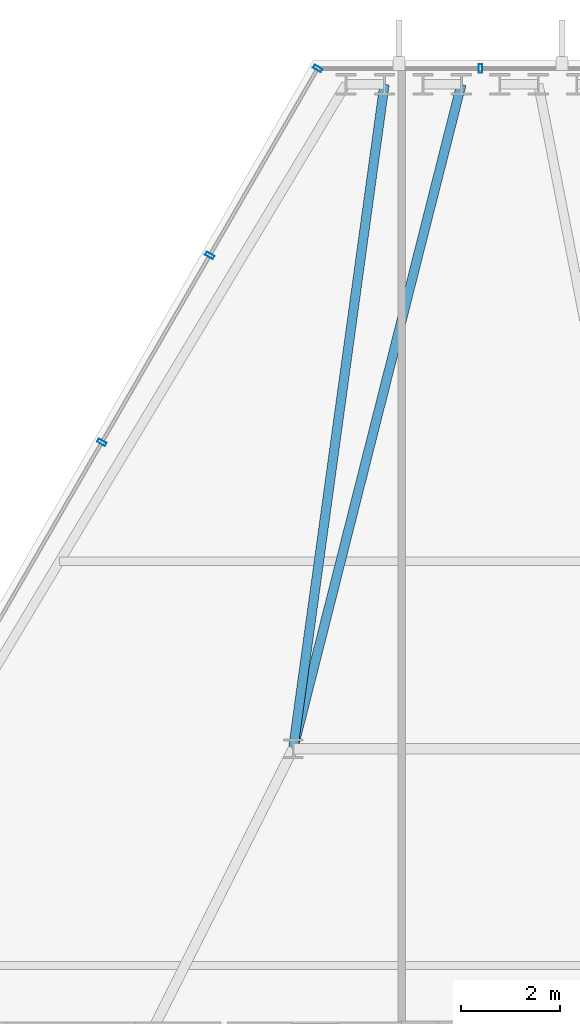
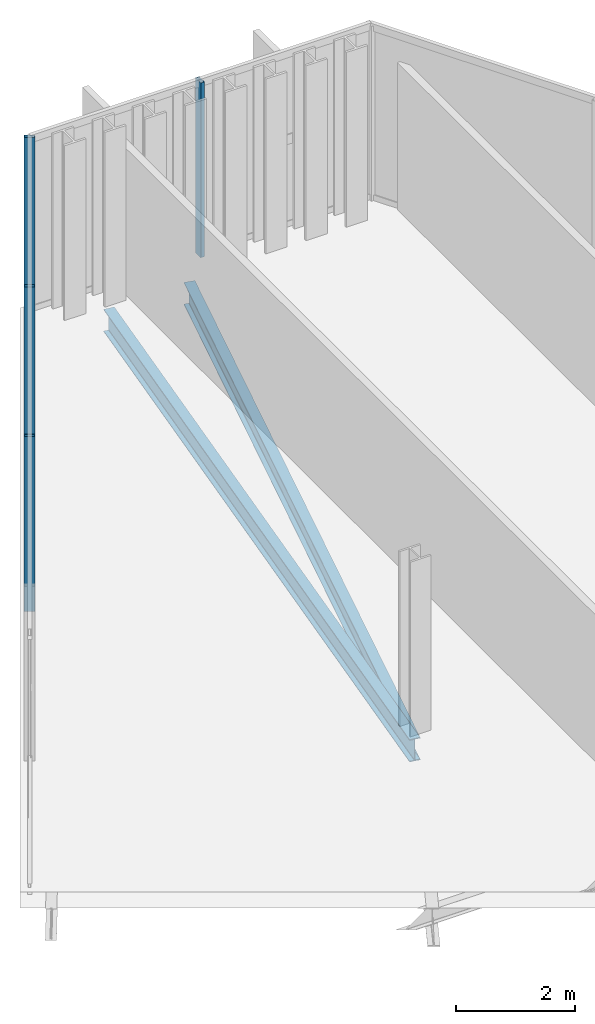
# One storey, part 20 of 29: 4 members, 2 beams, 2 elements without a shape of their own.
"""IFC4 building model written with IfcOpenShell, lengths in metres."""

from ifc_helpers import new_model, si_unit, direction, frame, origin, origin_2d, place, context, subcontext, project, spatial, hollow_rectangle, i_section, extrude, material, layer, layer_set, material_profile, profile_set, type_object, element, aggregate, save


model = new_model("IFC4")

# Units and contexts
model_context = context("Model", 3, precision=1e-05, world=origin(), true_north=direction((0.0, 1.0)))
body_context = subcontext(model_context, "Body", "Model", "MODEL_VIEW")
ifc_project = project(units=[si_unit("LENGTHUNIT", "METRE"), si_unit("AREAUNIT", "SQUARE_METRE"), si_unit("VOLUMEUNIT", "CUBIC_METRE"), si_unit("PLANEANGLEUNIT", "RADIAN"), si_unit("MASSUNIT", "GRAM", prefix="KILO")], contexts=[model_context])

# Site, building, storey
site_placement = place(None, origin())
site = spatial("IfcSite", under=ifc_project, at=site_placement, CompositionType="ELEMENT")
building_placement = place(site_placement, origin())
building = spatial("IfcBuilding", under=site, at=building_placement, Name="Ndaravel Arena Tower", CompositionType="ELEMENT")
storey_placement = place(building_placement, frame((0.0, 0.0, 244.60009765625)))
storey = spatial("IfcBuildingStorey", under=building, at=storey_placement, Name="L59", CompositionType="ELEMENT", Elevation=244.60009765625)

# Beams
ifc_material_1 = material(Name="Steel S355", Category="steel")
ifc_material_profile_1 = material_profile(ifc_material_1, i_section(OverallWidth=0.19140625, OverallDepth=0.4599609375, WebThickness=0.010009765625, FlangeThickness=0.01611328125, FilletRadius=0.01025390625, at=origin_2d()), Name="UB 457x191x82")
ifc_profile_set_1 = profile_set([ifc_material_profile_1], Name="Steel S355")
beam_type = type_object("IfcBeamType", Name="BM-GIRD-UB457", PredefinedType="BEAM", material=ifc_profile_set_1)
beam_1_placement = place(storey_placement, frame((41.610107421875, 44.669677734375, -0.4501953125), z_axis=(-0.245428555553, -0.969414681197, 0.0), x_axis=(0.969414681197, -0.245428555553, 0.0)))
element("IfcBeam", 1, at=beam_1_placement, inside=storey, type_object=beam_type, Name="L59 Radial Floor Girder FG-15", PredefinedType="BEAM", context=body_context, shape_type="SweptSolid", body=[
    extrude(i_section(OverallWidth=0.19140625, OverallDepth=0.4599609375, WebThickness=0.010009765625, FlangeThickness=0.01611328125, FilletRadius=0.01025390625, at=origin_2d()), origin(), (0.0, 0.0, 1.0), 13.894775390625),
])
beam_2_placement = place(storey_placement, frame((40.05078125, 44.669677734375, -0.4501953125), z_axis=(-0.136127580295, -0.990691315135, 0.0), x_axis=(0.990691315135, -0.136127580295, 0.0)))
element("IfcBeam", 2, at=beam_2_placement, inside=storey, type_object=beam_type, Name="L59 Radial Floor Girder FG-17", PredefinedType="BEAM", context=body_context, shape_type="SweptSolid", body=[
    extrude(i_section(OverallWidth=0.19140625, OverallDepth=0.4599609375, WebThickness=0.010009765625, FlangeThickness=0.01611328125, FilletRadius=0.01025390625, at=origin_2d()), origin(), (0.0, 0.0, 1.0), 13.59619140625),
])

# Curtain wall, member
ifc_material_2 = material(Name="Aluminium", Category="aluminium")
ifc_layer_1 = layer(ifc_material_2, 0.179931640625)
ifc_layer_set_1 = layer_set([ifc_layer_1], Name="Aluminium")
curtain_wall_type_1 = type_object("IfcCurtainWallType", Name="CW-SYS-01", PredefinedType="NOTDEFINED", material=ifc_layer_set_1)
curtain_wall_1_placement = place(storey_placement, origin())
curtain_wall_1 = element("IfcCurtainWall", 3, at=curtain_wall_1_placement, inside=storey, type_object=curtain_wall_type_1, Name="L59 Faceted Crystal Curtain Wall CW-L59-E04", PredefinedType="NOTDEFINED")
ifc_material_3 = material(Name="Aluminium", Category="aluminium")
ifc_material_profile_2 = material_profile(ifc_material_3, hollow_rectangle(XDim=0.074951171875, YDim=0.179931640625, WallThickness=0.00390625, at=origin_2d()), Name="CW MULLION 75x180x4")
ifc_profile_set_2 = profile_set([ifc_material_profile_2], Name="Aluminium")
member_type = type_object("IfcMemberType", Name="MEM-CW-MUL180", PredefinedType="MULLION", material=ifc_profile_set_2)
member_1_placement = place(storey_placement, frame((42.0, 44.989501953125, 0.0), z_axis=(0.0, 0.0, 1.0), x_axis=(-1.0, 0.0, 0.0)))
member_1 = element("IfcMember", 4, at=member_1_placement, type_object=member_type, Name="CW-L59-E04 Mullion 01", PredefinedType="MULLION", context=body_context, shape_type="SweptSolid", body=[
    extrude(hollow_rectangle(XDim=0.074951171875, YDim=0.179931640625, WallThickness=0.00390625, at=origin_2d()), origin(), (0.0, 0.0, 1.0), 3.579833984375),
])
aggregate(curtain_wall_1, [member_1])

# Curtain wall, members
ifc_material_4 = material(Name="Aluminium", Category="aluminium")
ifc_layer_2 = layer(ifc_material_4, 0.179931640625)
ifc_layer_set_2 = layer_set([ifc_layer_2], Name="Aluminium")
curtain_wall_type_2 = type_object("IfcCurtainWallType", Name="CW-SYS-03", PredefinedType="NOTDEFINED", material=ifc_layer_set_2)
curtain_wall_2_placement = place(storey_placement, origin())
curtain_wall_2 = element("IfcCurtainWall", 5, at=curtain_wall_2_placement, inside=storey, type_object=curtain_wall_type_2, Name="L59 Faceted Crystal Curtain Wall CW-L59-E05", PredefinedType="NOTDEFINED")
member_2_placement = place(storey_placement, frame((38.6962890625, 44.989501953125, 0.0), z_axis=(0.0, 0.0, 1.0), x_axis=(-0.5, -0.866025403784, 0.0)))
member_2 = element("IfcMember", 6, at=member_2_placement, type_object=member_type, Name="CW-L59-E05 Mullion 00", PredefinedType="MULLION", context=body_context, shape_type="SweptSolid", body=[
    extrude(hollow_rectangle(XDim=0.074951171875, YDim=0.179931640625, WallThickness=0.00390625, at=origin_2d()), origin(), (0.0, 0.0, 1.0), 3.579833984375),
])
member_3_placement = place(storey_placement, frame((36.50830078125, 41.199951171875, 0.0), z_axis=(0.0, 0.0, 1.0), x_axis=(-0.5, -0.866025403784, 0.0)))
member_3 = element("IfcMember", 7, at=member_3_placement, type_object=member_type, Name="CW-L59-E05 Mullion 01", PredefinedType="MULLION", context=body_context, shape_type="SweptSolid", body=[
    extrude(hollow_rectangle(XDim=0.074951171875, YDim=0.179931640625, WallThickness=0.00390625, at=origin_2d()), origin(), (0.0, 0.0, 1.0), 3.579833984375),
])
member_4_placement = place(storey_placement, frame((34.3203125, 37.41015625, 0.0), z_axis=(0.0, 0.0, 1.0), x_axis=(-0.5, -0.866025403784, 0.0)))
member_4 = element("IfcMember", 8, at=member_4_placement, type_object=member_type, Name="CW-L59-E05 Mullion 02", PredefinedType="MULLION", context=body_context, shape_type="SweptSolid", body=[
    extrude(hollow_rectangle(XDim=0.074951171875, YDim=0.179931640625, WallThickness=0.00390625, at=origin_2d()), origin(), (0.0, 0.0, 1.0), 3.579833984375),
])
aggregate(curtain_wall_2, [member_2, member_3, member_4])

save(model, "model.ifc")
